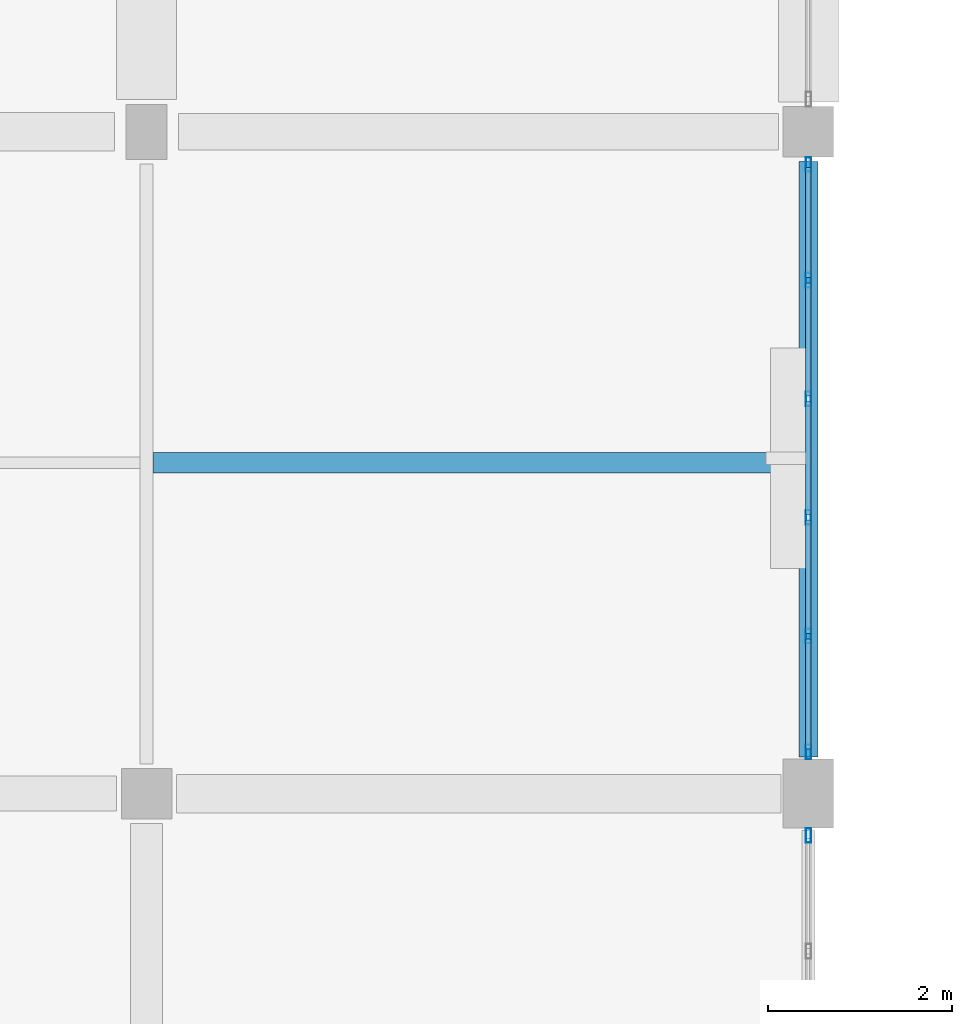
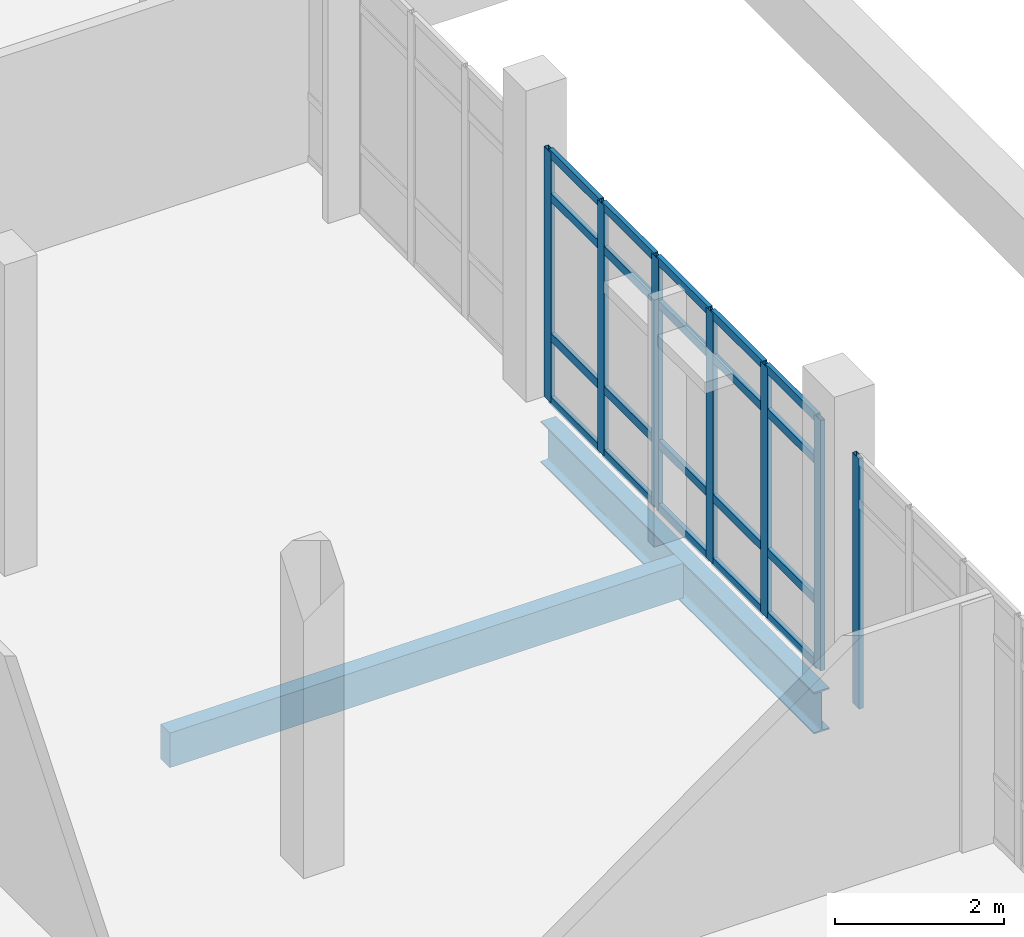
# One storey, part 29 of 87: 27 members, 2 beams, 2 elements without a shape of their own.
"""IFC4 building model written with IfcOpenShell, lengths in metres."""

from ifc_helpers import new_model, si_unit, direction, frame, origin, origin_2d, place, context, subcontext, project, spatial, rectangle, hollow_rectangle, i_section, extrude, material, material_profile, profile_set, type_object, element, aggregate, save


model = new_model("IFC4")

# Units and contexts
model_context = context("Model", 3, precision=1e-05, world=origin(), true_north=direction((0.0, 1.0)))
body_context = subcontext(model_context, "Body", "Model", "MODEL_VIEW")
ifc_project = project(units=[si_unit("LENGTHUNIT", "METRE"), si_unit("AREAUNIT", "SQUARE_METRE"), si_unit("VOLUMEUNIT", "CUBIC_METRE"), si_unit("PLANEANGLEUNIT", "RADIAN"), si_unit("MASSUNIT", "GRAM", prefix="KILO")], contexts=[model_context])

# Site, building, storey
site_placement = place(None, origin())
site = spatial("IfcSite", under=ifc_project, at=site_placement, CompositionType="ELEMENT")
building_placement = place(site_placement, origin())
building = spatial("IfcBuilding", under=site, at=building_placement, Name="Kalluvel Institute of Natural Sciences", CompositionType="ELEMENT")
storey_placement = place(building_placement, frame((0.0, 0.0, 18.89990234375)))
storey = spatial("IfcBuildingStorey", under=building, at=storey_placement, Name="L04", CompositionType="ELEMENT", Elevation=18.89990234375)

# Beam
ifc_material_1 = material(Name="Steel E350 Grade 350", Category="steel")
ifc_material_profile_1 = material_profile(ifc_material_1, i_section(OverallWidth=0.2099609375, OverallDepth=0.60009765625, WebThickness=0.011962890625, FlangeThickness=0.020751953125, FilletRadius=0.02001953125, at=origin_2d()), Name="ISMB 600")
ifc_profile_set_1 = profile_set([ifc_material_profile_1], Name="Steel E350 Grade 350")
beam_type_1 = type_object("IfcBeamType", Name="BM-ISMB600", PredefinedType="BEAM", material=ifc_profile_set_1)
beam_1_placement = place(storey_placement, frame((35.60009765625, 79.199951171875, -0.599853515625), z_axis=(0.0, 1.0, 0.0), x_axis=(-1.0, 0.0, 0.0)))
element("IfcBeam", 1, at=beam_1_placement, inside=storey, type_object=beam_type_1, Name="L04 girder GIR-L04-NS-X356-Y788", PredefinedType="BEAM", context=body_context, shape_type="SweptSolid", body=[
    extrude(i_section(OverallWidth=0.2099609375, OverallDepth=0.60009765625, WebThickness=0.011962890625, FlangeThickness=0.020751953125, FilletRadius=0.02001953125, at=origin_2d()), origin(), (0.0, 0.0, 1.0), 6.47509765625),
])

# Curtain wall, member
ifc_material_2 = material(Name="Aluminium AW-6063 T6", Category="aluminium")
curtain_wall_type = type_object("IfcCurtainWallType", Name="CW-DRY-45", PredefinedType="USERDEFINED", material=ifc_material_2)
curtain_wall_1_placement = place(storey_placement, origin())
curtain_wall_1 = element("IfcCurtainWall", 2, at=curtain_wall_1_placement, inside=storey, type_object=curtain_wall_type, Name="L04 Gothic lancet curtain wall CWA-L04-X356-Y719", ObjectType="UNITISED LANCET FACADE", PredefinedType="USERDEFINED")
ifc_material_profile_2 = material_profile(ifc_material_2, hollow_rectangle(XDim=0.06005859375, YDim=0.159912109375, WallThickness=0.00390625, at=origin_2d()), Name="CWM 60x160")
ifc_profile_set_2 = profile_set([ifc_material_profile_2], Name="Aluminium AW-6063 T6")
member_type_1 = type_object("IfcMemberType", Name="CWM-60x160", PredefinedType="MULLION", material=ifc_profile_set_2)
member_1_placement = place(storey_placement, frame((35.60009765625, 78.344970703125, 0.0), z_axis=(0.0, 0.0, 1.0), x_axis=(-1.0, 0.0, 0.0)))
member_1 = element("IfcMember", 3, at=member_1_placement, type_object=member_type_1, Name="CW-03 mullion 6", PredefinedType="MULLION", context=body_context, shape_type="SweptSolid", body=[
    extrude(hollow_rectangle(XDim=0.06005859375, YDim=0.159912109375, WallThickness=0.00390625, at=origin_2d()), origin(), (0.0, 0.0, 1.0), 3.6201171875),
])
aggregate(curtain_wall_1, [member_1])

# Curtain wall, members
curtain_wall_2_placement = place(storey_placement, origin())
curtain_wall_2 = element("IfcCurtainWall", 4, at=curtain_wall_2_placement, inside=storey, type_object=curtain_wall_type, Name="L04 Gothic lancet curtain wall CWA-L04-X356-Y792", ObjectType="UNITISED LANCET FACADE", PredefinedType="USERDEFINED")
member_2_placement = place(storey_placement, frame((35.60009765625, 79.2548828125, 0.0), z_axis=(0.0, 0.0, 1.0), x_axis=(-1.0, 0.0, 0.0)))
member_2 = element("IfcMember", 5, at=member_2_placement, type_object=member_type_1, Name="CW-03 mullion 1", PredefinedType="MULLION", context=body_context, shape_type="SweptSolid", body=[
    extrude(hollow_rectangle(XDim=0.06005859375, YDim=0.159912109375, WallThickness=0.00390625, at=origin_2d()), origin(), (0.0, 0.0, 1.0), 3.6201171875),
])
member_3_placement = place(storey_placement, frame((35.60009765625, 80.514892578125, 0.0), z_axis=(0.0, 0.0, 1.0), x_axis=(-1.0, 0.0, 0.0)))
member_3 = element("IfcMember", 6, at=member_3_placement, type_object=member_type_1, Name="CW-03 mullion 2", PredefinedType="MULLION", context=body_context, shape_type="SweptSolid", body=[
    extrude(hollow_rectangle(XDim=0.06005859375, YDim=0.159912109375, WallThickness=0.00390625, at=origin_2d()), origin(), (0.0, 0.0, 1.0), 3.6201171875),
])
member_4_placement = place(storey_placement, frame((35.60009765625, 81.804931640625, 0.0), z_axis=(0.0, 0.0, 1.0), x_axis=(-1.0, 0.0, 0.0)))
member_4 = element("IfcMember", 7, at=member_4_placement, type_object=member_type_1, Name="CW-03 mullion 3", PredefinedType="MULLION", context=body_context, shape_type="SweptSolid", body=[
    extrude(hollow_rectangle(XDim=0.06005859375, YDim=0.159912109375, WallThickness=0.00390625, at=origin_2d()), origin(), (0.0, 0.0, 1.0), 3.6201171875),
])
member_5_placement = place(storey_placement, frame((35.60009765625, 83.094970703125, 0.0), z_axis=(0.0, 0.0, 1.0), x_axis=(-1.0, 0.0, 0.0)))
member_5 = element("IfcMember", 8, at=member_5_placement, type_object=member_type_1, Name="CW-03 mullion 4", PredefinedType="MULLION", context=body_context, shape_type="SweptSolid", body=[
    extrude(hollow_rectangle(XDim=0.06005859375, YDim=0.159912109375, WallThickness=0.00390625, at=origin_2d()), origin(), (0.0, 0.0, 1.0), 3.6201171875),
])
member_6_placement = place(storey_placement, frame((35.60009765625, 84.385009765625, 0.0), z_axis=(0.0, 0.0, 1.0), x_axis=(-1.0, 0.0, 0.0)))
member_6 = element("IfcMember", 9, at=member_6_placement, type_object=member_type_1, Name="CW-03 mullion 5", PredefinedType="MULLION", context=body_context, shape_type="SweptSolid", body=[
    extrude(hollow_rectangle(XDim=0.06005859375, YDim=0.159912109375, WallThickness=0.00390625, at=origin_2d()), origin(), (0.0, 0.0, 1.0), 3.6201171875),
])
member_7_placement = place(storey_placement, frame((35.60009765625, 85.64501953125, 0.0), z_axis=(0.0, 0.0, 1.0), x_axis=(-1.0, 0.0, 0.0)))
member_7 = element("IfcMember", 10, at=member_7_placement, type_object=member_type_1, Name="CW-03 mullion 6", PredefinedType="MULLION", context=body_context, shape_type="SweptSolid", body=[
    extrude(hollow_rectangle(XDim=0.06005859375, YDim=0.159912109375, WallThickness=0.00390625, at=origin_2d()), origin(), (0.0, 0.0, 1.0), 3.6201171875),
])
ifc_material_profile_3 = material_profile(ifc_material_2, hollow_rectangle(XDim=0.06005859375, YDim=0.1201171875, WallThickness=0.00390625, at=origin_2d()), Name="CWT 60x120")
ifc_profile_set_3 = profile_set([ifc_material_profile_3], Name="Aluminium AW-6063 T6")
member_type_2 = type_object("IfcMemberType", Name="CWT-60x120", PredefinedType="USERDEFINED", material=ifc_profile_set_3)
member_8_placement = place(storey_placement, frame((35.60009765625, 79.284912109375, 0.030029296875), z_axis=(0.0, 1.0, 0.0), x_axis=(-1.0, 0.0, 0.0)))
member_8 = element("IfcMember", 11, at=member_8_placement, type_object=member_type_2, Name="CW-03 transom 1.1", ObjectType="TRANSOM", PredefinedType="USERDEFINED", context=body_context, shape_type="SweptSolid", body=[
    extrude(hollow_rectangle(XDim=0.06005859375, YDim=0.1201171875, WallThickness=0.00390625, at=origin_2d()), origin(), (0.0, 0.0, 1.0), 1.2001953125),
])
member_9_placement = place(storey_placement, frame((35.60009765625, 79.284912109375, 0.9501953125), z_axis=(0.0, 1.0, 0.0), x_axis=(-1.0, 0.0, 0.0)))
member_9 = element("IfcMember", 12, at=member_9_placement, type_object=member_type_2, Name="CW-03 transom 1.2", ObjectType="TRANSOM", PredefinedType="USERDEFINED", context=body_context, shape_type="SweptSolid", body=[
    extrude(hollow_rectangle(XDim=0.06005859375, YDim=0.1201171875, WallThickness=0.00390625, at=origin_2d()), origin(), (0.0, 0.0, 1.0), 1.2001953125),
])
member_10_placement = place(storey_placement, frame((35.60009765625, 79.284912109375, 2.97021484375), z_axis=(0.0, 1.0, 0.0), x_axis=(-1.0, 0.0, 0.0)))
member_10 = element("IfcMember", 13, at=member_10_placement, type_object=member_type_2, Name="CW-03 transom 1.3", ObjectType="TRANSOM", PredefinedType="USERDEFINED", context=body_context, shape_type="SweptSolid", body=[
    extrude(hollow_rectangle(XDim=0.06005859375, YDim=0.1201171875, WallThickness=0.00390625, at=origin_2d()), origin(), (0.0, 0.0, 1.0), 1.2001953125),
])
member_11_placement = place(storey_placement, frame((35.60009765625, 79.284912109375, 3.590087890625), z_axis=(0.0, 1.0, 0.0), x_axis=(-1.0, 0.0, 0.0)))
member_11 = element("IfcMember", 14, at=member_11_placement, type_object=member_type_2, Name="CW-03 transom 1.4", ObjectType="TRANSOM", PredefinedType="USERDEFINED", context=body_context, shape_type="SweptSolid", body=[
    extrude(hollow_rectangle(XDim=0.06005859375, YDim=0.1201171875, WallThickness=0.00390625, at=origin_2d()), origin(), (0.0, 0.0, 1.0), 1.2001953125),
])
member_12_placement = place(storey_placement, frame((35.60009765625, 80.544921875, 0.030029296875), z_axis=(0.0, 1.0, 0.0), x_axis=(-1.0, 0.0, 0.0)))
member_12 = element("IfcMember", 15, at=member_12_placement, type_object=member_type_2, Name="CW-03 transom 2.1", ObjectType="TRANSOM", PredefinedType="USERDEFINED", context=body_context, shape_type="SweptSolid", body=[
    extrude(hollow_rectangle(XDim=0.06005859375, YDim=0.1201171875, WallThickness=0.00390625, at=origin_2d()), origin(), (0.0, 0.0, 1.0), 1.22998046875),
])
member_13_placement = place(storey_placement, frame((35.60009765625, 80.544921875, 0.9501953125), z_axis=(0.0, 1.0, 0.0), x_axis=(-1.0, 0.0, 0.0)))
member_13 = element("IfcMember", 16, at=member_13_placement, type_object=member_type_2, Name="CW-03 transom 2.2", ObjectType="TRANSOM", PredefinedType="USERDEFINED", context=body_context, shape_type="SweptSolid", body=[
    extrude(hollow_rectangle(XDim=0.06005859375, YDim=0.1201171875, WallThickness=0.00390625, at=origin_2d()), origin(), (0.0, 0.0, 1.0), 1.22998046875),
])
member_14_placement = place(storey_placement, frame((35.60009765625, 80.544921875, 2.97021484375), z_axis=(0.0, 1.0, 0.0), x_axis=(-1.0, 0.0, 0.0)))
member_14 = element("IfcMember", 17, at=member_14_placement, type_object=member_type_2, Name="CW-03 transom 2.3", ObjectType="TRANSOM", PredefinedType="USERDEFINED", context=body_context, shape_type="SweptSolid", body=[
    extrude(hollow_rectangle(XDim=0.06005859375, YDim=0.1201171875, WallThickness=0.00390625, at=origin_2d()), origin(), (0.0, 0.0, 1.0), 1.22998046875),
])
member_15_placement = place(storey_placement, frame((35.60009765625, 80.544921875, 3.590087890625), z_axis=(0.0, 1.0, 0.0), x_axis=(-1.0, 0.0, 0.0)))
member_15 = element("IfcMember", 18, at=member_15_placement, type_object=member_type_2, Name="CW-03 transom 2.4", ObjectType="TRANSOM", PredefinedType="USERDEFINED", context=body_context, shape_type="SweptSolid", body=[
    extrude(hollow_rectangle(XDim=0.06005859375, YDim=0.1201171875, WallThickness=0.00390625, at=origin_2d()), origin(), (0.0, 0.0, 1.0), 1.22998046875),
])
member_16_placement = place(storey_placement, frame((35.60009765625, 81.8349609375, 0.030029296875), z_axis=(0.0, 1.0, 0.0), x_axis=(-1.0, 0.0, 0.0)))
member_16 = element("IfcMember", 19, at=member_16_placement, type_object=member_type_2, Name="CW-03 transom 3.1", ObjectType="TRANSOM", PredefinedType="USERDEFINED", context=body_context, shape_type="SweptSolid", body=[
    extrude(hollow_rectangle(XDim=0.06005859375, YDim=0.1201171875, WallThickness=0.00390625, at=origin_2d()), origin(), (0.0, 0.0, 1.0), 1.22998046875),
])
member_17_placement = place(storey_placement, frame((35.60009765625, 81.8349609375, 0.9501953125), z_axis=(0.0, 1.0, 0.0), x_axis=(-1.0, 0.0, 0.0)))
member_17 = element("IfcMember", 20, at=member_17_placement, type_object=member_type_2, Name="CW-03 transom 3.2", ObjectType="TRANSOM", PredefinedType="USERDEFINED", context=body_context, shape_type="SweptSolid", body=[
    extrude(hollow_rectangle(XDim=0.06005859375, YDim=0.1201171875, WallThickness=0.00390625, at=origin_2d()), origin(), (0.0, 0.0, 1.0), 1.22998046875),
])
member_18_placement = place(storey_placement, frame((35.60009765625, 81.8349609375, 2.97021484375), z_axis=(0.0, 1.0, 0.0), x_axis=(-1.0, 0.0, 0.0)))
member_18 = element("IfcMember", 21, at=member_18_placement, type_object=member_type_2, Name="CW-03 transom 3.3", ObjectType="TRANSOM", PredefinedType="USERDEFINED", context=body_context, shape_type="SweptSolid", body=[
    extrude(hollow_rectangle(XDim=0.06005859375, YDim=0.1201171875, WallThickness=0.00390625, at=origin_2d()), origin(), (0.0, 0.0, 1.0), 1.22998046875),
])
member_19_placement = place(storey_placement, frame((35.60009765625, 81.8349609375, 3.590087890625), z_axis=(0.0, 1.0, 0.0), x_axis=(-1.0, 0.0, 0.0)))
member_19 = element("IfcMember", 22, at=member_19_placement, type_object=member_type_2, Name="CW-03 transom 3.4", ObjectType="TRANSOM", PredefinedType="USERDEFINED", context=body_context, shape_type="SweptSolid", body=[
    extrude(hollow_rectangle(XDim=0.06005859375, YDim=0.1201171875, WallThickness=0.00390625, at=origin_2d()), origin(), (0.0, 0.0, 1.0), 1.22998046875),
])
member_20_placement = place(storey_placement, frame((35.60009765625, 83.125, 0.030029296875), z_axis=(0.0, 1.0, 0.0), x_axis=(-1.0, 0.0, 0.0)))
member_20 = element("IfcMember", 23, at=member_20_placement, type_object=member_type_2, Name="CW-03 transom 4.1", ObjectType="TRANSOM", PredefinedType="USERDEFINED", context=body_context, shape_type="SweptSolid", body=[
    extrude(hollow_rectangle(XDim=0.06005859375, YDim=0.1201171875, WallThickness=0.00390625, at=origin_2d()), origin(), (0.0, 0.0, 1.0), 1.22998046875),
])
member_21_placement = place(storey_placement, frame((35.60009765625, 83.125, 0.9501953125), z_axis=(0.0, 1.0, 0.0), x_axis=(-1.0, 0.0, 0.0)))
member_21 = element("IfcMember", 24, at=member_21_placement, type_object=member_type_2, Name="CW-03 transom 4.2", ObjectType="TRANSOM", PredefinedType="USERDEFINED", context=body_context, shape_type="SweptSolid", body=[
    extrude(hollow_rectangle(XDim=0.06005859375, YDim=0.1201171875, WallThickness=0.00390625, at=origin_2d()), origin(), (0.0, 0.0, 1.0), 1.22998046875),
])
member_22_placement = place(storey_placement, frame((35.60009765625, 83.125, 2.97021484375), z_axis=(0.0, 1.0, 0.0), x_axis=(-1.0, 0.0, 0.0)))
member_22 = element("IfcMember", 25, at=member_22_placement, type_object=member_type_2, Name="CW-03 transom 4.3", ObjectType="TRANSOM", PredefinedType="USERDEFINED", context=body_context, shape_type="SweptSolid", body=[
    extrude(hollow_rectangle(XDim=0.06005859375, YDim=0.1201171875, WallThickness=0.00390625, at=origin_2d()), origin(), (0.0, 0.0, 1.0), 1.22998046875),
])
member_23_placement = place(storey_placement, frame((35.60009765625, 83.125, 3.590087890625), z_axis=(0.0, 1.0, 0.0), x_axis=(-1.0, 0.0, 0.0)))
member_23 = element("IfcMember", 26, at=member_23_placement, type_object=member_type_2, Name="CW-03 transom 4.4", ObjectType="TRANSOM", PredefinedType="USERDEFINED", context=body_context, shape_type="SweptSolid", body=[
    extrude(hollow_rectangle(XDim=0.06005859375, YDim=0.1201171875, WallThickness=0.00390625, at=origin_2d()), origin(), (0.0, 0.0, 1.0), 1.22998046875),
])
member_24_placement = place(storey_placement, frame((35.60009765625, 84.4150390625, 0.030029296875), z_axis=(0.0, 1.0, 0.0), x_axis=(-1.0, 0.0, 0.0)))
member_24 = element("IfcMember", 27, at=member_24_placement, type_object=member_type_2, Name="CW-03 transom 5.1", ObjectType="TRANSOM", PredefinedType="USERDEFINED", context=body_context, shape_type="SweptSolid", body=[
    extrude(hollow_rectangle(XDim=0.06005859375, YDim=0.1201171875, WallThickness=0.00390625, at=origin_2d()), origin(), (0.0, 0.0, 1.0), 1.199951171875),
])
member_25_placement = place(storey_placement, frame((35.60009765625, 84.4150390625, 0.9501953125), z_axis=(0.0, 1.0, 0.0), x_axis=(-1.0, 0.0, 0.0)))
member_25 = element("IfcMember", 28, at=member_25_placement, type_object=member_type_2, Name="CW-03 transom 5.2", ObjectType="TRANSOM", PredefinedType="USERDEFINED", context=body_context, shape_type="SweptSolid", body=[
    extrude(hollow_rectangle(XDim=0.06005859375, YDim=0.1201171875, WallThickness=0.00390625, at=origin_2d()), origin(), (0.0, 0.0, 1.0), 1.199951171875),
])
member_26_placement = place(storey_placement, frame((35.60009765625, 84.4150390625, 2.97021484375), z_axis=(0.0, 1.0, 0.0), x_axis=(-1.0, 0.0, 0.0)))
member_26 = element("IfcMember", 29, at=member_26_placement, type_object=member_type_2, Name="CW-03 transom 5.3", ObjectType="TRANSOM", PredefinedType="USERDEFINED", context=body_context, shape_type="SweptSolid", body=[
    extrude(hollow_rectangle(XDim=0.06005859375, YDim=0.1201171875, WallThickness=0.00390625, at=origin_2d()), origin(), (0.0, 0.0, 1.0), 1.199951171875),
])
member_27_placement = place(storey_placement, frame((35.60009765625, 84.4150390625, 3.590087890625), z_axis=(0.0, 1.0, 0.0), x_axis=(-1.0, 0.0, 0.0)))
member_27 = element("IfcMember", 30, at=member_27_placement, type_object=member_type_2, Name="CW-03 transom 5.4", ObjectType="TRANSOM", PredefinedType="USERDEFINED", context=body_context, shape_type="SweptSolid", body=[
    extrude(hollow_rectangle(XDim=0.06005859375, YDim=0.1201171875, WallThickness=0.00390625, at=origin_2d()), origin(), (0.0, 0.0, 1.0), 1.199951171875),
])
aggregate(curtain_wall_2, [member_2, member_3, member_4, member_5, member_6, member_7, member_8, member_9, member_10, member_11, member_12, member_13, member_14, member_15, member_16, member_17, member_18, member_19, member_20, member_21, member_22, member_23, member_24, member_25, member_26, member_27])

# Beam
ifc_material_3 = material(Name="Concrete M40", Category="concrete")
ifc_material_profile_4 = material_profile(ifc_material_3, rectangle(XDim=0.219970703125, YDim=0.5, at=origin_2d()), Name="WAF 220x500")
ifc_profile_set_4 = profile_set([ifc_material_profile_4], Name="Concrete M40")
beam_type_2 = type_object("IfcBeamType", Name="WJ-220x500", PredefinedType="JOIST", material=ifc_profile_set_4)
beam_2_placement = place(storey_placement, frame((28.469970703125, 82.39990234375, -0.5498046875), z_axis=(1.0, 0.0, 0.0), x_axis=(0.0, 1.0, 0.0)))
element("IfcBeam", 31, at=beam_2_placement, inside=storey, type_object=beam_type_2, Name="L04 floor rib RIB-L04-0733", PredefinedType="JOIST", context=body_context, shape_type="SweptSolid", body=[
    extrude(rectangle(XDim=0.219970703125, YDim=0.5, at=origin_2d()), origin(), (0.0, 0.0, 1.0), 7.025146484375),
])

save(model, "model.ifc")
